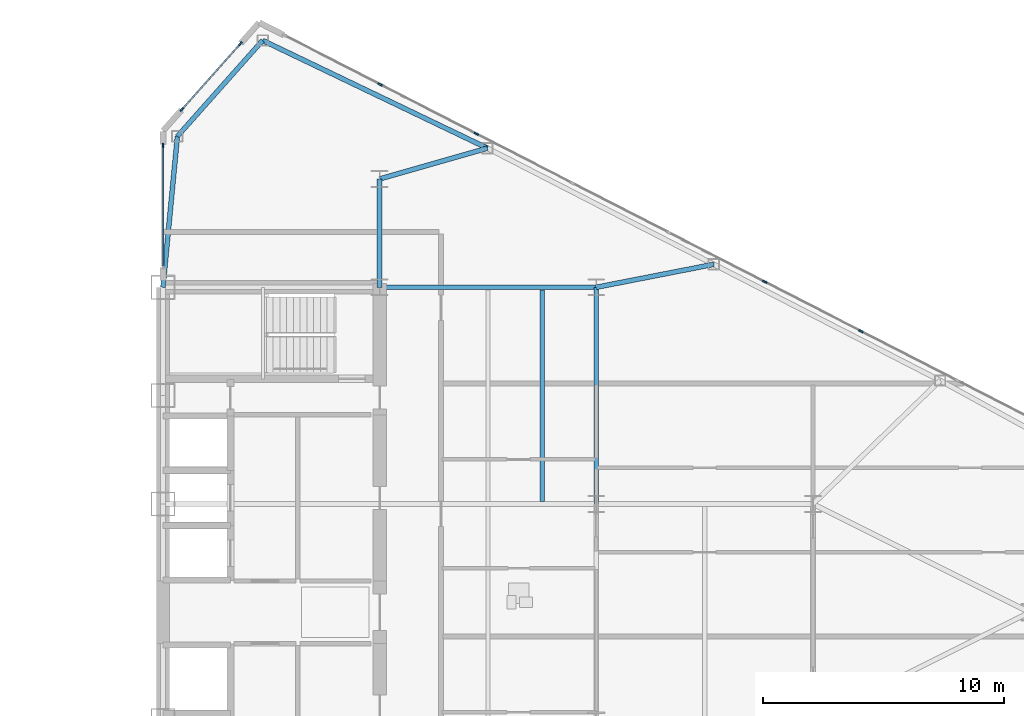
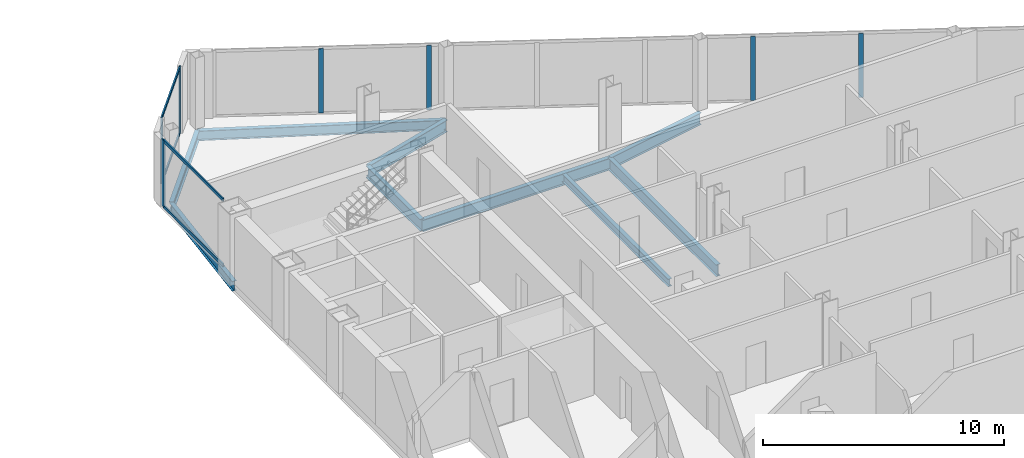
# One storey, part 11 of 24: 11 members, 9 beams, 3 elements without a shape of their own.
"""IFC4 building model written with IfcOpenShell, lengths in metres."""

from ifc_helpers import new_model, si_unit, direction, frame, origin, origin_2d, place, context, subcontext, project, spatial, rectangle, i_section, extrude, source, transform, mapped, material, layer, layer_set, material_profile, profile_set, type_object, type_shapes, element, aggregate, save


model = new_model("IFC4")

# Units and contexts
model_context = context("Model", 3, precision=1e-05, world=origin(), true_north=direction((0.0, 1.0)))
body_context = subcontext(model_context, "Body", "Model", "MODEL_VIEW")
ifc_project = project(units=[si_unit("LENGTHUNIT", "METRE"), si_unit("AREAUNIT", "SQUARE_METRE"), si_unit("VOLUMEUNIT", "CUBIC_METRE"), si_unit("PLANEANGLEUNIT", "RADIAN"), si_unit("MASSUNIT", "GRAM", prefix="KILO")], contexts=[model_context])

# Site, building, storey
site_placement = place(None, origin())
site = spatial("IfcSite", under=ifc_project, at=site_placement, CompositionType="ELEMENT")
building_placement = place(site_placement, origin())
building = spatial("IfcBuilding", under=site, at=building_placement, Name="Seokmaru Belvedere", CompositionType="ELEMENT")
storey_placement = place(building_placement, frame((0.0, 0.0, 140.39990234375)))
storey = spatial("IfcBuildingStorey", under=building, at=storey_placement, Name="L37", CompositionType="ELEMENT", Elevation=140.39990234375)

# Beams
ifc_material_1 = material(Name="Steel SM355 (355 MPa)", Category="steel")
ifc_material_profile_1 = material_profile(ifc_material_1, i_section(OverallWidth=0.199951171875, OverallDepth=0.60009765625, WebThickness=0.010986328125, FlangeThickness=0.01708984375, at=origin_2d()), Name="H-600x200x11x17")
ifc_profile_set_1 = profile_set([ifc_material_profile_1], Name="Steel SM355 (355 MPa)")
beam_type_1 = type_object("IfcBeamType", Name="Primary Floor Girder H-600", PredefinedType="BEAM", material=ifc_profile_set_1)
shared_shape_1 = source(origin(), body_context, "Body", "SweptSolid", [
    extrude(i_section(OverallWidth=0.199951171875, OverallDepth=0.60009765625, WebThickness=0.010986328125, FlangeThickness=0.01708984375, at=origin_2d()), origin(), (0.0, 0.0, 1.0), 9.0),
])
for number, where, z_axis, x_axis, name in (
    (1, (45.5, 4.5, -0.52001953125), (0.0, 1.0, 0.0), (-1.0, 0.0, 0.0), "L37 E Interior Grid Girder 3"),
    (2, (36.5, 13.5, -0.52001953125), (1.0, 0.0, 0.0), (0.0, 1.0, 0.0), "L37 E Wing Primary Girder 4"),
):
    element("IfcBeam", number, at=place(storey_placement, frame(where, z_axis=z_axis, x_axis=x_axis)), inside=storey, type_object=beam_type_1, Name=name, PredefinedType="BEAM", context=body_context, shape_type="MappedRepresentation", body=[
        mapped(shared_shape_1, transform((0.0, 0.0, 0.0), scale=1.0)),
    ])
ifc_material_profile_2 = material_profile(ifc_material_1, i_section(OverallWidth=0.18505859375, OverallDepth=0.389892578125, WebThickness=0.008056640625, FlangeThickness=0.011962890625, at=origin_2d()), Name="H-390x185x8x12")
ifc_profile_set_2 = profile_set([ifc_material_profile_2], Name="Steel SM355 (355 MPa)")
beam_type_2 = type_object("IfcBeamType", Name="Secondary Floor Joist H-350", PredefinedType="JOIST", material=ifc_profile_set_2)
shared_shape_2 = source(origin(), body_context, "Body", "SweptSolid", [
    extrude(i_section(OverallWidth=0.18505859375, OverallDepth=0.389892578125, WebThickness=0.008056640625, FlangeThickness=0.011962890625, at=origin_2d()), origin(), (0.0, 0.0, 1.0), 8.7900390625),
])
type_shapes(beam_type_2, [shared_shape_2])
beam_1_placement = place(storey_placement, frame((43.25, 4.60498046875, -0.414794921875), z_axis=(0.0, 1.0, 0.0), x_axis=(-1.0, 0.0, 0.0)))
element("IfcBeam", 3, at=beam_1_placement, inside=storey, type_object=beam_type_2, Name="L37 E Wing Inner Secondary Joist 2", PredefinedType="JOIST", context=body_context, shape_type="MappedRepresentation", body=[
    mapped(shared_shape_2, transform((0.0, 0.0, 0.0), scale=1.0)),
])
shared_shape_3 = source(origin(), body_context, "Body", "SweptSolid", [
    extrude(i_section(OverallWidth=0.199951171875, OverallDepth=0.60009765625, WebThickness=0.010986328125, FlangeThickness=0.01708984375, at=origin_2d()), origin(), (0.0, 0.0, 1.0), 4.5),
])
beam_2_placement = place(storey_placement, frame((36.5, 13.5, -0.52001953125), z_axis=(0.0, 1.0, 0.0), x_axis=(-1.0, 0.0, 0.0)))
element("IfcBeam", 4, at=beam_2_placement, inside=storey, type_object=beam_type_1, Name="L37 E Core Shoulder Girder N", PredefinedType="BEAM", context=body_context, shape_type="MappedRepresentation", body=[
    mapped(shared_shape_3, transform((0.0, 0.0, 0.0), scale=1.0)),
])
ifc_material_profile_3 = material_profile(ifc_material_1, i_section(OverallWidth=0.199951171875, OverallDepth=0.5, WebThickness=0.010009765625, FlangeThickness=0.01611328125, at=origin_2d()), Name="H-500x200x10x16")
ifc_profile_set_3 = profile_set([ifc_material_profile_3], Name="Steel SM355 (355 MPa)")
beam_type_3 = type_object("IfcBeamType", Name="Perimeter Spandrel Beam H-500", PredefinedType="SPANDREL", material=ifc_profile_set_3)
shared_shape_4 = source(origin(), body_context, "Body", "SweptSolid", [
    extrude(i_section(OverallWidth=0.199951171875, OverallDepth=0.5, WebThickness=0.010009765625, FlangeThickness=0.01611328125, at=origin_2d()), origin(), (0.0, 0.0, 1.0), 10.353759765625),
])
beam_3_placement = place(storey_placement, frame((31.6396484375, 23.75390625, -0.469970703125), z_axis=(0.901713202822, -0.432334708134, 0.0), x_axis=(0.432334708134, 0.901713202822, 0.0)))
element("IfcBeam", 5, at=beam_3_placement, inside=storey, type_object=beam_type_3, Name="L37 E Faceted Flank Spandrel N-1", PredefinedType="SPANDREL", context=body_context, shape_type="MappedRepresentation", body=[
    mapped(shared_shape_4, transform((0.0, 0.0, 0.0), scale=1.0)),
])
shared_shape_5 = source(origin(), body_context, "Body", "SweptSolid", [
    extrude(i_section(OverallWidth=0.199951171875, OverallDepth=0.5, WebThickness=0.010009765625, FlangeThickness=0.01611328125, at=origin_2d()), origin(), (0.0, 0.0, 1.0), 5.32763671875),
])
beam_4_placement = place(storey_placement, frame((31.6396484375, 23.75390625, -0.469970703125), z_axis=(-0.66436952742, -0.74740426212, 0.0), x_axis=(0.74740426212, -0.66436952742, 0.0)))
element("IfcBeam", 6, at=beam_4_placement, inside=storey, type_object=beam_type_3, Name="L37 E Shoulder Chamfer Spandrel N", PredefinedType="SPANDREL", context=body_context, shape_type="MappedRepresentation", body=[
    mapped(shared_shape_5, transform((0.0, 0.0, 0.0), scale=1.0)),
])
shared_shape_6 = source(origin(), body_context, "Body", "SweptSolid", [
    extrude(i_section(OverallWidth=0.199951171875, OverallDepth=0.5, WebThickness=0.010009765625, FlangeThickness=0.01611328125, at=origin_2d()), origin(), (0.0, 0.0, 1.0), 6.300537109375),
])
type_shapes(beam_type_3, [shared_shape_4, shared_shape_5, shared_shape_6])
beam_5_placement = place(storey_placement, frame((28.10009765625, 19.77197265625, -0.469970703125), z_axis=(-0.095244287992, -0.995453929424, 0.0), x_axis=(0.995453929424, -0.095244287992, 0.0)))
element("IfcBeam", 7, at=beam_5_placement, inside=storey, type_object=beam_type_3, Name="L37 E Shoulder Spine Spandrel N", PredefinedType="SPANDREL", context=body_context, shape_type="MappedRepresentation", body=[
    mapped(shared_shape_6, transform((0.0, 0.0, 0.0), scale=1.0)),
])
shared_shape_7 = source(origin(), body_context, "Body", "SweptSolid", [
    extrude(i_section(OverallWidth=0.199951171875, OverallDepth=0.60009765625, WebThickness=0.010986328125, FlangeThickness=0.01708984375, at=origin_2d()), origin(), (0.0, 0.0, 1.0), 4.654541015625),
])
beam_6_placement = place(storey_placement, frame((40.975830078125, 19.277587890625, -0.52001953125), z_axis=(-0.961593192625, -0.274478654721, 0.0), x_axis=(0.274478654721, -0.961593192625, 0.0)))
element("IfcBeam", 8, at=beam_6_placement, inside=storey, type_object=beam_type_1, Name="L37 E Flank Radial Floor Girder N-1", PredefinedType="BEAM", context=body_context, shape_type="MappedRepresentation", body=[
    mapped(shared_shape_7, transform((0.0, 0.0, 0.0), scale=1.0)),
])
shared_shape_8 = source(origin(), body_context, "Body", "SweptSolid", [
    extrude(i_section(OverallWidth=0.199951171875, OverallDepth=0.60009765625, WebThickness=0.010986328125, FlangeThickness=0.01708984375, at=origin_2d()), origin(), (0.0, 0.0, 1.0), 4.969482421875),
])
type_shapes(beam_type_1, [shared_shape_1, shared_shape_3, shared_shape_7, shared_shape_8])
beam_7_placement = place(storey_placement, frame((50.377197265625, 14.453369140625, -0.52001953125), z_axis=(-0.98142544456, -0.19184393858, 0.0), x_axis=(0.19184393858, -0.98142544456, 0.0)))
element("IfcBeam", 9, at=beam_7_placement, inside=storey, type_object=beam_type_1, Name="L37 E Flank Radial Floor Girder N-2", PredefinedType="BEAM", context=body_context, shape_type="MappedRepresentation", body=[
    mapped(shared_shape_8, transform((0.0, 0.0, 0.0), scale=1.0)),
])

# Curtain wall, members
ifc_material_2 = material(Name="Bronze Triple Insulating Glass", Category="glass")
ifc_layer = layer(ifc_material_2, 0.195068359375)
ifc_layer_set = layer_set([ifc_layer], Name="Bronze Triple Insulating Glass")
curtain_wall_type = type_object("IfcCurtainWallType", Name="Sky-Lobby and Mid-Rise Curtain Wall System CW-4", PredefinedType="NOTDEFINED", material=ifc_layer_set)
curtain_wall_1_placement = place(storey_placement, origin())
curtain_wall_1 = element("IfcCurtainWall", 10, at=curtain_wall_1_placement, inside=storey, type_object=curtain_wall_type, Name="L37 Curtain Wall EF4", PredefinedType="NOTDEFINED")
ifc_material_3 = material(Name="Anodised Bronze Aluminium", Category="aluminium")
ifc_material_profile_4 = material_profile(ifc_material_3, rectangle(XDim=0.070068359375, YDim=0.195068359375, at=origin_2d()), Name="CW-M-70x195")
ifc_profile_set_4 = profile_set([ifc_material_profile_4], Name="Anodised Bronze Aluminium")
member_type_1 = type_object("IfcMemberType", Name="Bronze Unitised Mullion 70x195", PredefinedType="MULLION", material=ifc_profile_set_4)
shared_shape_9 = source(origin(), body_context, "Body", "SweptSolid", [
    extrude(rectangle(XDim=0.070068359375, YDim=0.195068359375, at=origin_2d()), origin(), (0.0, 0.0, 1.0), 3.380126953125),
])
member_1_placement = place(storey_placement, frame((30.712646484375, 23.6142578125, 0.0), z_axis=(0.0, 0.0, 1.0), x_axis=(0.747409774804, -0.664363325694, 0.0)))
member_1 = element("IfcMember", 11, at=member_1_placement, type_object=member_type_1, Name="CW:L37:EF4 Mullion 1", PredefinedType="MULLION", context=body_context, shape_type="MappedRepresentation", body=[
    mapped(shared_shape_9, transform((0.0, 0.0, 0.0), scale=1.0)),
])
member_2_placement = place(storey_placement, frame((28.287353515625, 20.8857421875, 0.0), z_axis=(0.0, 0.0, 1.0), x_axis=(0.747409774804, -0.664363325694, 0.0)))
member_2 = element("IfcMember", 12, at=member_2_placement, type_object=member_type_1, Name="CW:L37:EF4 Mullion 2", PredefinedType="MULLION", context=body_context, shape_type="MappedRepresentation", body=[
    mapped(shared_shape_9, transform((0.0, 0.0, 0.0), scale=1.0)),
])

# Curtain wall, member
curtain_wall_2_placement = place(storey_placement, origin())
curtain_wall_2 = element("IfcCurtainWall", 13, at=curtain_wall_2_placement, inside=storey, type_object=curtain_wall_type, Name="L37 Curtain Wall ESP_2", PredefinedType="NOTDEFINED")
member_3_placement = place(storey_placement, frame((27.5, 19.39501953125, 0.0), z_axis=(0.0, 0.0, 1.0), x_axis=(1.0, 0.0, 0.0)))
member_3 = element("IfcMember", 14, at=member_3_placement, type_object=member_type_1, Name="CW:L37:ESP_2 Mullion 1", PredefinedType="MULLION", context=body_context, shape_type="MappedRepresentation", body=[
    mapped(shared_shape_9, transform((0.0, 0.0, 0.0), scale=1.0)),
])

# Member
ifc_material_profile_5 = material_profile(ifc_material_3, rectangle(XDim=0.06494140625, YDim=0.14990234375, at=origin_2d()), Name="CW-T-65x150")
ifc_profile_set_5 = profile_set([ifc_material_profile_5], Name="Anodised Bronze Aluminium")
member_type_2 = type_object("IfcMemberType", Name="Bronze Unitised Transom 65x150", PredefinedType="USERDEFINED", material=ifc_profile_set_5)
shared_shape_10 = source(origin(), body_context, "Body", "SweptSolid", [
    extrude(rectangle(XDim=0.06494140625, YDim=0.14990234375, at=origin_2d()), origin(), (0.0, 0.0, 1.0), 3.580810546875),
])
member_4_placement = place(storey_placement, frame((30.689453125, 23.588134765625, 0.03271484375), z_axis=(-0.66436383883, -0.747409318684, 0.0), x_axis=(0.747409318684, -0.66436383883, 0.0)))
member_4 = element("IfcMember", 15, at=member_4_placement, type_object=member_type_2, Name="CW:L37:EF4 Continuous Transom 1", ObjectType="TRANSOM", PredefinedType="USERDEFINED", context=body_context, shape_type="MappedRepresentation", body=[
    mapped(shared_shape_10, transform((0.0, 0.0, 0.0), scale=1.0)),
])

member_5_placement = place(storey_placement, frame((30.689453125, 23.588134765625, 3.34765625), z_axis=(-0.66436383883, -0.747409318684, 0.0), x_axis=(0.747409318684, -0.66436383883, 0.0)))
member_5 = element("IfcMember", 16, at=member_5_placement, type_object=member_type_2, Name="CW:L37:EF4 Continuous Transom 2", ObjectType="TRANSOM", PredefinedType="USERDEFINED", context=body_context, shape_type="MappedRepresentation", body=[
    mapped(shared_shape_10, transform((0.0, 0.0, 0.0), scale=1.0)),
])

aggregate(curtain_wall_1, [member_1, member_2, member_4, member_5])

# Curtain wall, members
curtain_wall_3_placement = place(storey_placement, origin())
curtain_wall_3 = element("IfcCurtainWall", 17, at=curtain_wall_3_placement, inside=storey, type_object=curtain_wall_type, Name="L37 Curtain Wall EF3", PredefinedType="NOTDEFINED")
shared_shape_11 = source(origin(), body_context, "Body", "SweptSolid", [
    extrude(rectangle(XDim=0.070068359375, YDim=0.195068359375, at=origin_2d()), origin(), (0.0, 0.0, 1.0), 3.25),
])
type_shapes(member_type_1, [shared_shape_9, shared_shape_11])
member_6_placement = place(storey_placement, frame((56.4921875, 11.675048828125, 0.065185546875), z_axis=(0.0, 0.0, 1.0), x_axis=(-0.456554528263, -0.889695432562, 0.0)))
member_6 = element("IfcMember", 18, at=member_6_placement, type_object=member_type_1, Name="CW:L37:EF3 Mullion 4", PredefinedType="MULLION", context=body_context, shape_type="MappedRepresentation", body=[
    mapped(shared_shape_11, transform((0.0, 0.0, 0.0), scale=1.0)),
])
member_7_placement = place(storey_placement, frame((52.497314453125, 13.72509765625, 0.065185546875), z_axis=(0.0, 0.0, 1.0), x_axis=(-0.456554528263, -0.889695432562, 0.0)))
member_7 = element("IfcMember", 19, at=member_7_placement, type_object=member_type_1, Name="CW:L37:EF3 Mullion 5", PredefinedType="MULLION", context=body_context, shape_type="MappedRepresentation", body=[
    mapped(shared_shape_11, transform((0.0, 0.0, 0.0), scale=1.0)),
])
member_8_placement = place(storey_placement, frame((40.5126953125, 19.875, 0.065185546875), z_axis=(0.0, 0.0, 1.0), x_axis=(-0.456554528263, -0.889695432562, 0.0)))
member_8 = element("IfcMember", 20, at=member_8_placement, type_object=member_type_1, Name="CW:L37:EF3 Mullion 8", PredefinedType="MULLION", context=body_context, shape_type="MappedRepresentation", body=[
    mapped(shared_shape_11, transform((0.0, 0.0, 0.0), scale=1.0)),
])
member_9_placement = place(storey_placement, frame((36.51806640625, 21.925048828125, 0.065185546875), z_axis=(0.0, 0.0, 1.0), x_axis=(-0.456554528263, -0.889695432562, 0.0)))
member_9 = element("IfcMember", 21, at=member_9_placement, type_object=member_type_1, Name="CW:L37:EF3 Mullion 9", PredefinedType="MULLION", context=body_context, shape_type="MappedRepresentation", body=[
    mapped(shared_shape_11, transform((0.0, 0.0, 0.0), scale=1.0)),
])
aggregate(curtain_wall_3, [member_6, member_7, member_8, member_9])

# Member
shared_shape_12 = source(origin(), body_context, "Body", "SweptSolid", [
    extrude(rectangle(XDim=0.06494140625, YDim=0.14990234375, at=origin_2d()), origin(), (0.0, 0.0, 1.0), 4.960205078125),
])
type_shapes(member_type_2, [shared_shape_10, shared_shape_12])
member_10_placement = place(storey_placement, frame((27.5, 19.360107421875, 0.03271484375), z_axis=(0.0, -1.0, 0.0), x_axis=(1.0, 0.0, 0.0)))
member_10 = element("IfcMember", 22, at=member_10_placement, type_object=member_type_2, Name="CW:L37:ESP_2 Continuous Transom 1", ObjectType="TRANSOM", PredefinedType="USERDEFINED", context=body_context, shape_type="MappedRepresentation", body=[
    mapped(shared_shape_12, transform((0.0, 0.0, 0.0), scale=1.0)),
])

member_11_placement = place(storey_placement, frame((27.5, 19.360107421875, 3.34765625), z_axis=(0.0, -1.0, 0.0), x_axis=(1.0, 0.0, 0.0)))
member_11 = element("IfcMember", 23, at=member_11_placement, type_object=member_type_2, Name="CW:L37:ESP_2 Continuous Transom 2", ObjectType="TRANSOM", PredefinedType="USERDEFINED", context=body_context, shape_type="MappedRepresentation", body=[
    mapped(shared_shape_12, transform((0.0, 0.0, 0.0), scale=1.0)),
])

aggregate(curtain_wall_2, [member_3, member_10, member_11])

save(model, "model.ifc")
